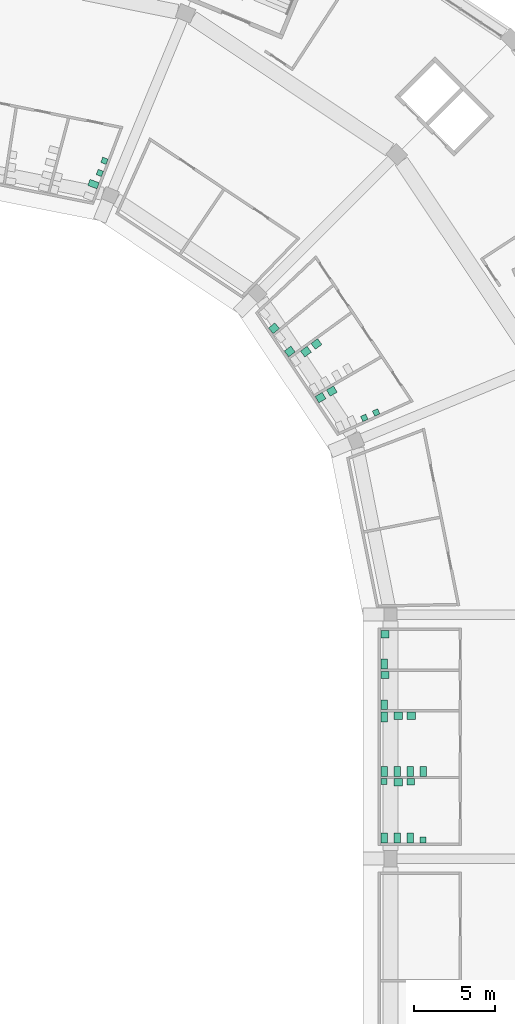
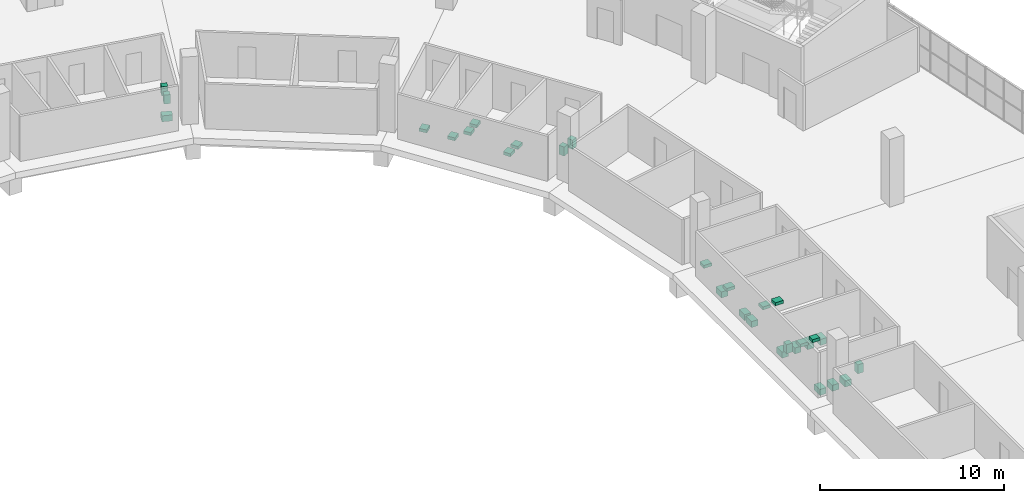
# One storey, part 199 of 199: 29 sanitary terminals.
"""IFC4 building model written with IfcOpenShell, lengths in metres."""

from ifc_helpers import new_model, si_unit, direction, frame, origin, origin_2d, place, context, subcontext, project, spatial, rectangle, extrude, material, type_object, element, save


model = new_model("IFC4")

# Units and contexts
model_context = context("Model", 3, precision=1e-05, world=origin(), true_north=direction((0.0, 1.0)))
body_context = subcontext(model_context, "Body", "Model", "MODEL_VIEW")
ifc_project = project(units=[si_unit("LENGTHUNIT", "METRE"), si_unit("AREAUNIT", "SQUARE_METRE"), si_unit("VOLUMEUNIT", "CUBIC_METRE"), si_unit("PLANEANGLEUNIT", "RADIAN"), si_unit("MASSUNIT", "GRAM", prefix="KILO")], contexts=[model_context])

# Site, building, storey
site_placement = place(None, origin())
site = spatial("IfcSite", under=ifc_project, at=site_placement, CompositionType="ELEMENT")
building_placement = place(site_placement, origin())
building = spatial("IfcBuilding", under=site, at=building_placement, Name="Ogive Plaza Stadium", CompositionType="ELEMENT")
storey_placement = place(building_placement, frame((0.0, 0.0, 4.5)))
storey = spatial("IfcBuildingStorey", under=building, at=storey_placement, Name="L01", CompositionType="ELEMENT", Elevation=4.5)

# Sanitary terminals
ifc_material_1 = material(Name="Vitreous china", Category="ceramic")
sanitary_terminal_type_1 = type_object("IfcSanitaryTerminalType", Name="Drinking fountain", PredefinedType="SANITARYFOUNTAIN", material=ifc_material_1)
sanitary_terminal_placement = place(storey_placement, frame((63.14990234375, 42.217041015625, 0.7998046875), z_axis=(0.0, 0.0, 1.0), x_axis=(1.0, 0.0, 0.0)))
element("IfcSanitaryTerminal", 1, at=sanitary_terminal_placement, inside=storey, type_object=sanitary_terminal_type_1, Name="Drinking fountain L01-001", PredefinedType="SANITARYFOUNTAIN", context=body_context, shape_type="SweptSolid", body=[
    extrude(rectangle(XDim=0.449951171875, YDim=0.39990234375, at=origin_2d()), origin(), (0.0, 0.0, 1.0), 0.199951171875),
])
ifc_material_2 = material(Name="Vitreous china", Category="ceramic")
sanitary_terminal_type_2 = type_object("IfcSanitaryTerminalType", Name="Lavatory", PredefinedType="WASHHANDBASIN", material=ifc_material_2)
for number, where, z_axis, x_axis, name in (
    (2, (62.375, 42.19189453125, 0.7998046875), (0.0, 0.0, 1.0), (1.0, 0.0, 0.0), "Lavatory L01-001"),
    (3, (57.60205078125, 65.839599609375, 0.7998046875), (0.0, 0.0, 1.0), (0.866461406284, 0.499244059975, 0.0), "Lavatory L01-129"),
    (4, (58.295166015625, 66.239013671875, 0.7998046875), (0.0, 0.0, 1.0), (0.866461406284, 0.499244059975, 0.0), "Lavatory L01-129"),
    (5, (62.375, 46.283935546875, 0.7998046875), (0.0, 0.0, 1.0), (1.0, 0.0, 0.0), "Lavatory L01-002"),
    (6, (63.175048828125, 46.283935546875, 0.7998046875), (0.0, 0.0, 1.0), (1.0, 0.0, 0.0), "Lavatory L01-002"),
    (7, (56.704345703125, 68.66455078125, 0.7998046875), (0.0, 0.0, 1.0), (0.809920860554, 0.586539171445, 0.0), "Lavatory L01-130"),
    (8, (57.352294921875, 69.1337890625, 0.7998046875), (0.0, 0.0, 1.0), (0.809920860554, 0.586539171445, 0.0), "Lavatory L01-130"),
    (9, (61.574951171875, 48.7919921875, 0.7998046875), (0.0, 0.0, 1.0), (1.0, 0.0, 0.0), "Lavatory L01-003"),
    (10, (61.574951171875, 51.300048828125, 0.7998046875), (0.0, 0.0, 1.0), (1.0, 0.0, 0.0), "Lavatory L01-004"),
    (11, (55.714111328125, 68.6748046875, 0.7998046875), (0.0, 0.0, 1.0), (0.806894335823, 0.590695802267, 0.0), "Lavatory L01-131"),
    (12, (54.7421875, 70.101318359375, 0.7998046875), (0.0, 0.0, 1.0), (0.767804028544, 0.640684769408, 0.0), "Lavatory L01-132"),
):
    element("IfcSanitaryTerminal", number, at=place(storey_placement, frame(where, z_axis=z_axis, x_axis=x_axis)), inside=storey, type_object=sanitary_terminal_type_2, Name=name, PredefinedType="WASHHANDBASIN", context=body_context, shape_type="SweptSolid", body=[
        extrude(rectangle(XDim=0.5, YDim=0.449951171875, at=origin_2d()), origin(), (0.0, 0.0, 1.0), 0.199951171875),
    ])
ifc_material_3 = material(Name="Vitreous china", Category="ceramic")
sanitary_terminal_type_3 = type_object("IfcSanitaryTerminalType", Name="Urinal", PredefinedType="URINAL", material=ifc_material_3)
for number, where, z_axis, x_axis, name in (
    (13, (63.89990234375, 38.64990234375, 0.599853515625), (0.0, 0.0, 1.0), (1.0, 0.0, 0.0), "Urinal L01-001"),
    (14, (61.5, 42.241943359375, 0.599853515625), (0.0, 0.0, 1.0), (1.0, 0.0, 0.0), "Urinal L01-001"),
    (15, (44.039306640625, 79.64306640625, 0.599853515625), (0.0, 0.0, 1.0), (0.352560386706, 0.935789064761, 0.0), "Urinal L01-121"),
    (16, (44.3212890625, 80.3916015625, 0.599853515625), (0.0, 0.0, 1.0), (0.352560386706, 0.935789064761, 0.0), "Urinal L01-121"),
    (17, (60.291748046875, 64.59423828125, 0.599853515625), (0.0, 0.0, 1.0), (0.91100063367, 0.412404953235, 0.0), "Urinal L01-129"),
    (18, (61.0205078125, 64.92431640625, 0.599853515625), (0.0, 0.0, 1.0), (0.91100063367, 0.412404953235, 0.0), "Urinal L01-129"),
):
    element("IfcSanitaryTerminal", number, at=place(storey_placement, frame(where, z_axis=z_axis, x_axis=x_axis)), inside=storey, type_object=sanitary_terminal_type_3, Name=name, PredefinedType="URINAL", context=body_context, shape_type="SweptSolid", body=[
        extrude(rectangle(XDim=0.35009765625, YDim=0.35009765625, at=origin_2d()), origin(), (0.0, 0.0, 1.0), 0.60009765625),
    ])
ifc_material_4 = material(Name="Vitreous china", Category="ceramic")
sanitary_terminal_type_4 = type_object("IfcSanitaryTerminalType", Name="Water closet", PredefinedType="TOILETPAN", material=ifc_material_4)
for number, where, z_axis, x_axis, name in (
    (19, (61.52490234375, 38.77490234375, 0.0), (0.0, 0.0, 1.0), (1.0, 0.0, 0.0), "Water closet L01-001"),
    (20, (62.324951171875, 38.77490234375, 0.0), (0.0, 0.0, 1.0), (1.0, 0.0, 0.0), "Water closet L01-001"),
    (21, (63.125, 38.77490234375, 0.0), (0.0, 0.0, 1.0), (1.0, 0.0, 0.0), "Water closet L01-001"),
    (22, (43.64892578125, 78.9619140625, 0.0), (0.0, 0.0, 1.0), (0.352560386706, 0.935789064761, 0.0), "Water closet L01-121"),
    (23, (61.52490234375, 42.866943359375, 0.0), (0.0, 0.0, 1.0), (1.0, 0.0, 0.0), "Water closet L01-002"),
    (24, (62.324951171875, 42.866943359375, 0.0), (0.0, 0.0, 1.0), (1.0, 0.0, 0.0), "Water closet L01-002"),
    (25, (63.125, 42.866943359375, 0.0), (0.0, 0.0, 1.0), (1.0, 0.0, 0.0), "Water closet L01-002"),
    (26, (63.925048828125, 42.866943359375, 0.0), (0.0, 0.0, 1.0), (1.0, 0.0, 0.0), "Water closet L01-002"),
    (27, (61.52490234375, 46.208984375, 0.0), (0.0, 0.0, 1.0), (1.0, 0.0, 0.0), "Water closet L01-002"),
    (28, (61.52490234375, 46.958984375, 0.0), (0.0, 0.0, 1.0), (1.0, 0.0, 0.0), "Water closet L01-003"),
    (29, (61.52490234375, 49.467041015625, 0.0), (0.0, 0.0, 1.0), (1.0, 0.0, 0.0), "Water closet L01-004"),
):
    element("IfcSanitaryTerminal", number, at=place(storey_placement, frame(where, z_axis=z_axis, x_axis=x_axis)), inside=storey, type_object=sanitary_terminal_type_4, Name=name, PredefinedType="TOILETPAN", context=body_context, shape_type="SweptSolid", body=[
        extrude(rectangle(XDim=0.39990234375, YDim=0.60009765625, at=origin_2d()), origin(), (0.0, 0.0, 1.0), 0.39990234375),
    ])

save(model, "model.ifc")
